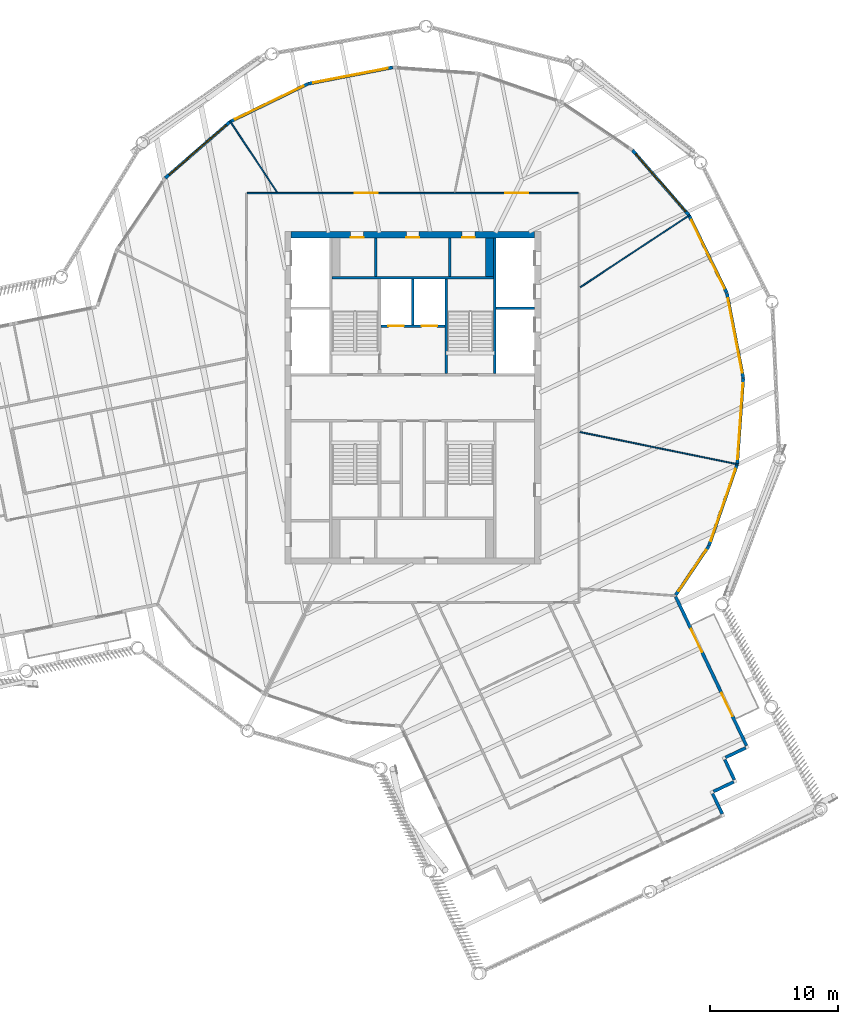
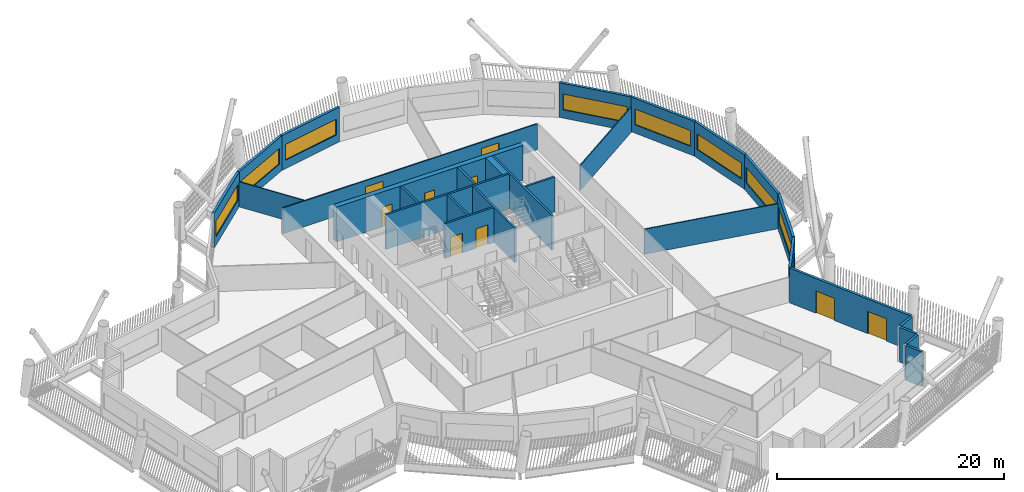
# One storey, part 6 of 21: 28 walls, 9 doors, 9 windows, 18 openings.
"""IFC4 building model written with IfcOpenShell, lengths in metres."""

from ifc_helpers import new_model, si_unit, direction, frame, frame_2d, origin, place, context, subcontext, project, spatial, rectangle, extrude, material, layer, layer_set, type_object, element, fill, save


model = new_model("IFC4")

# Units and contexts
model_context = context("Model", 3, precision=1e-05, world=origin(), true_north=direction((0.0, 1.0)))
body_context = subcontext(model_context, "Body", "Model", "MODEL_VIEW")
ifc_project = project(units=[si_unit("LENGTHUNIT", "METRE"), si_unit("AREAUNIT", "SQUARE_METRE"), si_unit("VOLUMEUNIT", "CUBIC_METRE"), si_unit("PLANEANGLEUNIT", "RADIAN"), si_unit("MASSUNIT", "GRAM", prefix="KILO")], contexts=[model_context])

# Site, building, storey
site_placement = place(None, origin())
site = spatial("IfcSite", under=ifc_project, at=site_placement, CompositionType="ELEMENT")
building_placement = place(site_placement, origin())
building = spatial("IfcBuilding", under=site, at=building_placement, Name="Tarsis Ring Headquarters", CompositionType="ELEMENT")
storey_placement = place(building_placement, frame((0.0, 0.0, 331.39990234375)))
storey = spatial("IfcBuildingStorey", under=building, at=storey_placement, Name="L78", CompositionType="ELEMENT", Elevation=331.39990234375)

# Walls
ifc_material_1 = material(Name="Blockwork", Category="masonry")
ifc_layer_1 = layer(ifc_material_1, 0.199951171875)
ifc_layer_set_1 = layer_set([ifc_layer_1], Name="Core blockwork wall 200")
wall_type_1 = type_object("IfcWallType", Name="Core blockwork wall 200", PredefinedType="PARTITIONING", material=ifc_layer_set_1)
for number, where, z_axis, x_axis, name in (
    (1, (-2.89990234375, 9.5, 0.0), (0.0, 0.0, 1.0), (0.0, 1.0, 0.0), "Core partition ND1"),
    (2, (2.89990234375, 9.5, 0.0), (0.0, 0.0, 1.0), (0.0, 1.0, 0.0), "Core partition ND3"),
):
    element("IfcWall", number, at=place(storey_placement, frame(where, z_axis=z_axis, x_axis=x_axis)), inside=storey, type_object=wall_type_1, Name=name, PredefinedType="PARTITIONING", context=body_context, shape_type="SweptSolid", body=[
        extrude(rectangle(XDim=3.0, YDim=0.199951171875, at=frame_2d((1.5, 0.0))), origin(), (0.0, 0.0, 1.0), 3.739990234375),
    ])

# Wall, openings, doors
ifc_material_2 = material(Name="Concrete C50/60", Category="concrete")
ifc_layer_2 = layer(ifc_material_2, 0.5)
ifc_layer_set_2 = layer_set([ifc_layer_2], Name="Core wall 500 C50/60")
wall_type_2 = type_object("IfcWallType", Name="Core wall 500 C50/60", PredefinedType="SHEAR", material=ifc_layer_set_2)
wall_1_placement = place(storey_placement, frame((-9.5, 12.75, 0.0), z_axis=(0.0, 0.0, 1.0), x_axis=(1.0, 0.0, 0.0)))
wall_1 = element("IfcWall", 3, at=wall_1_placement, inside=storey, type_object=wall_type_2, Name="Core wall ON", PredefinedType="SHEAR", context=body_context, shape_type="SweptSolid", body=[
    extrude(rectangle(XDim=19.0, YDim=0.5, at=frame_2d((9.5, 0.0))), origin(), (0.0, 0.0, 1.0), 3.739990234375),
])
opening_1_placement = place(wall_1_placement, frame((4.64990234375, 0.0, 0.0)))
opening_1 = element("IfcOpeningElement", 4, at=opening_1_placement, cuts=wall_1, Name="Opening L78-C14", PredefinedType="OPENING", context=body_context, shape_type="SweptSolid", body=[
    extrude(rectangle(XDim=1.0, YDim=2.10009765625, at=frame_2d((0.5, 1.050048828125))), frame((0.0, 0.260009765625, 0.0), z_axis=(0.0, -1.0, 0.0), x_axis=(1.0, 0.0, 0.0)), (0.0, 0.0, 1.0), 0.52001953125),
])
opening_2_placement = place(wall_1_placement, frame((9.0, 0.0, 0.0)))
opening_2 = element("IfcOpeningElement", 5, at=opening_2_placement, cuts=wall_1, Name="Opening L78-C15", PredefinedType="OPENING", context=body_context, shape_type="SweptSolid", body=[
    extrude(rectangle(XDim=1.0, YDim=2.10009765625, at=frame_2d((0.5, 1.050048828125))), frame((0.0, 0.260009765625, 0.0), z_axis=(0.0, -1.0, 0.0), x_axis=(1.0, 0.0, 0.0)), (0.0, 0.0, 1.0), 0.52001953125),
])
opening_3_placement = place(wall_1_placement, frame((13.35009765625, 0.0, 0.0)))
opening_3 = element("IfcOpeningElement", 6, at=opening_3_placement, cuts=wall_1, Name="Opening L78-C16", PredefinedType="OPENING", context=body_context, shape_type="SweptSolid", body=[
    extrude(rectangle(XDim=1.0, YDim=2.10009765625, at=frame_2d((0.5, 1.050048828125))), frame((0.0, 0.260009765625, 0.0), z_axis=(0.0, -1.0, 0.0), x_axis=(1.0, 0.0, 0.0)), (0.0, 0.0, 1.0), 0.52001953125),
])
ifc_material_3 = material(Name="Steel S355", Category="steel")
door_type_1 = type_object("IfcDoorType", Name="Core room door 1000x2100", OperationType="SINGLE_SWING_LEFT", PredefinedType="DOOR", material=ifc_material_3)
door_1_placement = place(opening_1_placement, origin())
door_1 = element("IfcDoor", 7, at=door_1_placement, inside=storey, type_object=door_type_1, Name="Core room door L78", OperationType="SINGLE_SWING_LEFT", OverallHeight=2.10009765625, OverallWidth=1.0, PredefinedType="DOOR", context=body_context, shape_type="SweptSolid", body=[
    extrude(rectangle(XDim=1.0, YDim=2.10009765625, at=frame_2d((0.5, 1.050048828125))), frame((0.0, -0.2001953125, 0.0), z_axis=(0.0, -1.0, 0.0), x_axis=(1.0, 0.0, 0.0)), (0.0, 0.0, 1.0), 0.050048828125),
])
fill(opening_1, door_1)
door_2_placement = place(opening_2_placement, origin())
door_2 = element("IfcDoor", 8, at=door_2_placement, inside=storey, type_object=door_type_1, Name="Core room door L78", OperationType="SINGLE_SWING_LEFT", OverallHeight=2.10009765625, OverallWidth=1.0, PredefinedType="DOOR", context=body_context, shape_type="SweptSolid", body=[
    extrude(rectangle(XDim=1.0, YDim=2.10009765625, at=frame_2d((0.5, 1.050048828125))), frame((0.0, -0.2001953125, 0.0), z_axis=(0.0, -1.0, 0.0), x_axis=(1.0, 0.0, 0.0)), (0.0, 0.0, 1.0), 0.050048828125),
])
fill(opening_2, door_2)
door_3_placement = place(opening_3_placement, origin())
door_3 = element("IfcDoor", 9, at=door_3_placement, inside=storey, type_object=door_type_1, Name="Core room door L78", OperationType="SINGLE_SWING_LEFT", OverallHeight=2.10009765625, OverallWidth=1.0, PredefinedType="DOOR", context=body_context, shape_type="SweptSolid", body=[
    extrude(rectangle(XDim=1.0, YDim=2.10009765625, at=frame_2d((0.5, 1.050048828125))), frame((0.0, -0.2001953125, 0.0), z_axis=(0.0, -1.0, 0.0), x_axis=(1.0, 0.0, 0.0)), (0.0, 0.0, 1.0), 0.050048828125),
])
fill(opening_3, door_3)

# Walls
ifc_material_4 = material(Name="Gypsum board on steel studs", Category="steel")
ifc_layer_3 = layer(ifc_material_4, 0.10009765625)
ifc_layer_set_3 = layer_set([ifc_layer_3], Name="FL partition 100 unrated")
wall_type_3 = type_object("IfcWallType", Name="FL partition 100 unrated", PredefinedType="PARTITIONING", material=ifc_layer_set_3)
wall_2_placement = place(storey_placement, frame((13.068603515625, -2.673095703125, 0.0), z_axis=(0.0, 0.0, 1.0), x_axis=(0.979716401051, -0.200389055368, 0.0)))
element("IfcWall", 10, at=wall_2_placement, inside=storey, type_object=wall_type_3, Name="Partition PW3", PredefinedType="PARTITIONING", context=body_context, shape_type="SweptSolid", body=[
    extrude(rectangle(XDim=12.608642578125, YDim=0.10009765625, at=frame_2d((6.30419921875, 0.0))), origin(), (0.0, 0.0, 1.0), 2.7001953125),
])
wall_3_placement = place(storey_placement, frame((13.08349609375, 8.64013671875, 0.0), z_axis=(0.0, 0.0, 1.0), x_axis=(0.834471004251, 0.551051851521, 0.0)))
element("IfcWall", 11, at=wall_3_placement, inside=storey, type_object=wall_type_3, Name="Partition PW3", PredefinedType="PARTITIONING", context=body_context, shape_type="SweptSolid", body=[
    extrude(rectangle(XDim=10.268798828125, YDim=0.10009765625, at=frame_2d((5.13427734375, 0.0))), origin(), (0.0, 0.0, 1.0), 2.7001953125),
])
wall_4_placement = place(storey_placement, frame((-14.298828125, 21.652587890625, 0.0), z_axis=(0.0, 0.0, 1.0), x_axis=(0.551064899082, -0.834462388008, 0.0)))
element("IfcWall", 12, at=wall_4_placement, inside=storey, type_object=wall_type_3, Name="Partition PW3", PredefinedType="PARTITIONING", context=body_context, shape_type="SweptSolid", body=[
    extrude(rectangle(XDim=6.673828125, YDim=0.10009765625, at=frame_2d((3.3369140625, 0.0))), origin(), (0.0, 0.0, 1.0), 2.7001953125),
])

# Wall, openings, doors
ifc_layer_4 = layer(ifc_material_4, 0.125)
ifc_layer_set_4 = layer_set([ifc_layer_4], Name="FL partition 125 EI 60 H2770")
wall_type_4 = type_object("IfcWallType", Name="FL partition 125 EI 60 H2770", PredefinedType="PARTITIONING", material=ifc_layer_set_4)
wall_5_placement = place(storey_placement, frame((-12.93994140625, 16.0, 0.0), z_axis=(0.0, 0.0, 1.0), x_axis=(1.0, 0.0, 0.0)))
wall_5 = element("IfcWall", 13, at=wall_5_placement, inside=storey, type_object=wall_type_4, Name="Partition PW1", PredefinedType="PARTITIONING", context=body_context, shape_type="SweptSolid", body=[
    extrude(rectangle(XDim=25.8798828125, YDim=0.125, at=frame_2d((12.93994140625, 0.0))), origin(), (0.0, 0.0, 1.0), 2.77001953125),
])
opening_4_placement = place(wall_5_placement, frame((8.393310546875, 0.0, 0.0)))
opening_4 = element("IfcOpeningElement", 14, at=opening_4_placement, cuts=wall_5, Name="Opening D78.05", PredefinedType="OPENING", context=body_context, shape_type="SweptSolid", body=[
    extrude(rectangle(XDim=1.800048828125, YDim=2.10009765625, at=frame_2d((0.89990234375, 1.050048828125))), frame((0.0, 0.072509765625, 0.0), z_axis=(0.0, -1.0, 0.0), x_axis=(1.0, 0.0, 0.0)), (0.0, 0.0, 1.0), 0.14501953125),
])
opening_5_placement = place(wall_5_placement, frame((20.17626953125, 0.0, 0.0)))
opening_5 = element("IfcOpeningElement", 15, at=opening_5_placement, cuts=wall_5, Name="Opening D78.06", PredefinedType="OPENING", context=body_context, shape_type="SweptSolid", body=[
    extrude(rectangle(XDim=1.800048828125, YDim=2.10009765625, at=frame_2d((0.89990234375, 1.050048828125))), frame((0.0, 0.072509765625, 0.0), z_axis=(0.0, -1.0, 0.0), x_axis=(1.0, 0.0, 0.0)), (0.0, 0.0, 1.0), 0.14501953125),
])
ifc_material_5 = material(Name="Fire-rated timber door leaf in steel frame", Category="steel")
door_type_2 = type_object("IfcDoorType", Name="FL door FD60-1800", OperationType="DOUBLE_DOOR_SINGLE_SWING", PredefinedType="DOOR", material=ifc_material_5)
door_4_placement = place(opening_4_placement, origin())
door_4 = element("IfcDoor", 16, at=door_4_placement, inside=storey, type_object=door_type_2, Name="Door D78.05", OperationType="DOUBLE_DOOR_SINGLE_SWING", OverallHeight=2.10009765625, OverallWidth=1.800048828125, PredefinedType="DOOR", context=body_context, shape_type="SweptSolid", body=[
    extrude(rectangle(XDim=1.800048828125, YDim=2.10009765625, at=frame_2d((0.89990234375, 1.050048828125))), frame((0.0, 0.02490234375, 0.0), z_axis=(0.0, -1.0, 0.0), x_axis=(1.0, 0.0, 0.0)), (0.0, 0.0, 1.0), 0.050048828125),
])
fill(opening_4, door_4)
door_5_placement = place(opening_5_placement, origin())
door_5 = element("IfcDoor", 17, at=door_5_placement, inside=storey, type_object=door_type_2, Name="Door D78.06", OperationType="DOUBLE_DOOR_SINGLE_SWING", OverallHeight=2.10009765625, OverallWidth=1.800048828125, PredefinedType="DOOR", context=body_context, shape_type="SweptSolid", body=[
    extrude(rectangle(XDim=1.800048828125, YDim=2.10009765625, at=frame_2d((0.89990234375, 1.050048828125))), frame((0.0, 0.02490234375, 0.0), z_axis=(0.0, -1.0, 0.0), x_axis=(1.0, 0.0, 0.0)), (0.0, 0.0, 1.0), 0.050048828125),
])
fill(opening_5, door_5)

# Walls
ifc_material_6 = material(Name="Terracotta clad insulated panel wall", Category="masonry")
ifc_layer_5 = layer(ifc_material_6, 0.25)
ifc_layer_set_5 = layer_set([ifc_layer_5], Name="Facade wall terracotta panel 250")
wall_type_5 = type_object("IfcWallType", Name="Facade wall terracotta panel 250", PredefinedType="STANDARD", material=ifc_layer_set_5)
for number, where, z_axis, x_axis, name in (
    (18, (24.1865234375, -32.512939453125, 0.0), (0.0, 0.0, 1.0), (-0.429549052818, 0.90304352676, 0.0), "External wall L78-12"),
    (19, (23.494140625, -30.765869140625, 0.0), (0.0, 0.0, 1.0), (0.90304352676, 0.429549052818, 0.0), "External wall L78-13"),
    (20, (25.133544921875, -29.84765625, 0.0), (0.0, 0.0, 1.0), (-0.429549052818, 0.90304352676, 0.0), "External wall L78-14"),
    (21, (24.44091796875, -28.100830078125, 0.0), (0.0, 0.0, 1.0), (0.90304352676, 0.429549052818, 0.0), "External wall L78-15"),
):
    element("IfcWall", number, at=place(storey_placement, frame(where, z_axis=z_axis, x_axis=x_axis)), inside=storey, type_object=wall_type_5, Name=name, PredefinedType="STANDARD", context=body_context, shape_type="SweptSolid", body=[
        extrude(rectangle(XDim=1.75, YDim=0.25, at=frame_2d((0.875, 0.0))), origin(), (0.0, 0.0, 1.0), 3.739990234375),
    ])

# Wall, openings, doors
wall_6_placement = place(storey_placement, frame((26.08056640625, -27.182373046875, 0.0), z_axis=(0.0, 0.0, 1.0), x_axis=(-0.42956626561, 0.903035338982, 0.0)))
wall_6 = element("IfcWall", 22, at=wall_6_placement, inside=storey, type_object=wall_type_5, Name="External wall L78-16", PredefinedType="STANDARD", context=body_context, shape_type="SweptSolid", body=[
    extrude(rectangle(XDim=12.9013671875, YDim=0.25, at=frame_2d((6.45068359375, 0.0))), origin(), (0.0, 0.0, 1.0), 3.739990234375),
])
opening_6_placement = place(wall_6_placement, frame((2.550048828125, 0.0, 0.0)))
opening_6 = element("IfcOpeningElement", 23, at=opening_6_placement, cuts=wall_6, Name="Opening L78-BD03", PredefinedType="OPENING", context=body_context, shape_type="SweptSolid", body=[
    extrude(rectangle(XDim=2.0, YDim=2.39990234375, at=frame_2d((1.0, 1.199951171875))), frame((0.0, 0.135009765625, 0.0), z_axis=(0.0, -1.0, 0.0), x_axis=(1.0, 0.0, 0.0)), (0.0, 0.0, 1.0), 0.27001953125),
])
opening_7_placement = place(wall_6_placement, frame((8.101318359375, 0.0, 0.0)))
opening_7 = element("IfcOpeningElement", 24, at=opening_7_placement, cuts=wall_6, Name="Opening L78-BD04", PredefinedType="OPENING", context=body_context, shape_type="SweptSolid", body=[
    extrude(rectangle(XDim=2.0, YDim=2.39990234375, at=frame_2d((1.0, 1.199951171875))), frame((0.0, 0.135009765625, 0.0), z_axis=(0.0, -1.0, 0.0), x_axis=(1.0, 0.0, 0.0)), (0.0, 0.0, 1.0), 0.27001953125),
])
ifc_material_7 = material(Name="Aluminium framed double glazing", Category="aluminium")
door_type_3 = type_object("IfcDoorType", Name="Balcony sliding door 2000 x 2400", OperationType="SLIDING_TO_LEFT", PredefinedType="DOOR", material=ifc_material_7)
door_6_placement = place(opening_6_placement, origin())
door_6 = element("IfcDoor", 25, at=door_6_placement, inside=storey, type_object=door_type_3, Name="Door L78-BD03", OperationType="SINGLE_SWING_LEFT", OverallHeight=2.39990234375, OverallWidth=2.0, PredefinedType="DOOR", context=body_context, shape_type="SweptSolid", body=[
    extrude(rectangle(XDim=2.0, YDim=2.39990234375, at=frame_2d((1.0, 1.199951171875))), frame((0.0, 0.02490234375, 0.0), z_axis=(0.0, -1.0, 0.0), x_axis=(1.0, 0.0, 0.0)), (0.0, 0.0, 1.0), 0.050048828125),
])
fill(opening_6, door_6)
door_7_placement = place(opening_7_placement, origin())
door_7 = element("IfcDoor", 26, at=door_7_placement, inside=storey, type_object=door_type_3, Name="Door L78-BD04", OperationType="SINGLE_SWING_LEFT", OverallHeight=2.39990234375, OverallWidth=2.0, PredefinedType="DOOR", context=body_context, shape_type="SweptSolid", body=[
    extrude(rectangle(XDim=2.0, YDim=2.39990234375, at=frame_2d((1.0, 1.199951171875))), frame((0.0, 0.02490234375, 0.0), z_axis=(0.0, -1.0, 0.0), x_axis=(1.0, 0.0, 0.0)), (0.0, 0.0, 1.0), 0.050048828125),
])
fill(opening_7, door_7)

# Wall, opening, window
wall_7_placement = place(storey_placement, frame((20.5478515625, -15.408447265625, 0.0), z_axis=(0.0, 0.0, 1.0), x_axis=(0.560044772855, 0.828462342173, 0.0)))
wall_7 = element("IfcWall", 27, at=wall_7_placement, inside=storey, type_object=wall_type_5, Name="External wall L78-17", PredefinedType="STANDARD", context=body_context, shape_type="SweptSolid", body=[
    extrude(rectangle(XDim=4.617919921875, YDim=0.25, at=frame_2d((2.30908203125, 0.0))), origin(), (0.0, 0.0, 1.0), 3.739990234375),
])
opening_8_placement = place(wall_7_placement, frame((0.400390625, 0.0, 0.89990234375)))
opening_8 = element("IfcOpeningElement", 28, at=opening_8_placement, cuts=wall_7, Name="Opening WN02", PredefinedType="OPENING", context=body_context, shape_type="SweptSolid", body=[
    extrude(rectangle(XDim=3.85009765625, YDim=1.699951171875, at=frame_2d((1.925048828125, 0.85009765625))), frame((0.0, 0.135009765625, 0.0), z_axis=(0.0, -1.0, 0.0), x_axis=(1.0, 0.0, 0.0)), (0.0, 0.0, 1.0), 0.27001953125),
])
window_type_1 = type_object("IfcWindowType", Name="Facade window 3850 x 1700", PartitioningType="SINGLE_PANEL", PredefinedType="WINDOW", material=ifc_material_7)
window_1_placement = place(opening_8_placement, origin())
window_1 = element("IfcWindow", 29, at=window_1_placement, inside=storey, type_object=window_type_1, Name="Window L78-17.1", OverallHeight=1.699951171875, OverallWidth=3.85009765625, PartitioningType="SINGLE_PANEL", PredefinedType="WINDOW", context=body_context, shape_type="SweptSolid", body=[
    extrude(rectangle(XDim=3.85009765625, YDim=1.699951171875, at=frame_2d((1.925048828125, 0.85009765625))), frame((0.0, 0.030029296875, 0.0), z_axis=(0.0, -1.0, 0.0), x_axis=(1.0, 0.0, 0.0)), (0.0, 0.0, 1.0), 0.06005859375),
])
fill(opening_8, window_1)

wall_8_placement = place(storey_placement, frame((23.148681640625, -11.553466796875, 0.0), z_axis=(0.0, 0.0, 1.0), x_axis=(0.326571581621, 0.945172472133, 0.0)))
wall_8 = element("IfcWall", 30, at=wall_8_placement, inside=storey, type_object=wall_type_5, Name="External wall L78-18", PredefinedType="STANDARD", context=body_context, shape_type="SweptSolid", body=[
    extrude(rectangle(XDim=6.721435546875, YDim=0.25, at=frame_2d((3.36083984375, 0.0))), origin(), (0.0, 0.0, 1.0), 3.739990234375),
])
opening_9_placement = place(wall_8_placement, frame((0.3857421875, 0.0, 0.89990234375)))
opening_9 = element("IfcOpeningElement", 31, at=opening_9_placement, cuts=wall_8, Name="Opening WN07", PredefinedType="OPENING", context=body_context, shape_type="SweptSolid", body=[
    extrude(rectangle(XDim=5.949951171875, YDim=1.699951171875, at=frame_2d((2.97509765625, 0.85009765625))), frame((0.0, 0.135009765625, 0.0), z_axis=(0.0, -1.0, 0.0), x_axis=(1.0, 0.0, 0.0)), (0.0, 0.0, 1.0), 0.27001953125),
])
window_type_2 = type_object("IfcWindowType", Name="Facade window 5950 x 1700", PartitioningType="SINGLE_PANEL", PredefinedType="WINDOW", material=ifc_material_7)
window_2_placement = place(opening_9_placement, origin())
window_2 = element("IfcWindow", 32, at=window_2_placement, inside=storey, type_object=window_type_2, Name="Window L78-18.1", OverallHeight=1.699951171875, OverallWidth=5.949951171875, PartitioningType="SINGLE_PANEL", PredefinedType="WINDOW", context=body_context, shape_type="SweptSolid", body=[
    extrude(rectangle(XDim=5.949951171875, YDim=1.699951171875, at=frame_2d((2.97509765625, 0.85009765625))), frame((0.0, 0.030029296875, 0.0), z_axis=(0.0, -1.0, 0.0), x_axis=(1.0, 0.0, 0.0)), (0.0, 0.0, 1.0), 0.06005859375),
])
fill(opening_9, window_2)

wall_9_placement = place(storey_placement, frame((25.350341796875, -5.16845703125, 0.0), z_axis=(0.0, 0.0, 1.0), x_axis=(0.070792733618, 0.997491047011, 0.0)))
wall_9 = element("IfcWall", 33, at=wall_9_placement, inside=storey, type_object=wall_type_5, Name="External wall L78-19", PredefinedType="STANDARD", context=body_context, shape_type="SweptSolid", body=[
    extrude(rectangle(XDim=6.721435546875, YDim=0.25, at=frame_2d((3.36083984375, 0.0))), origin(), (0.0, 0.0, 1.0), 3.739990234375),
])
opening_10_placement = place(wall_9_placement, frame((0.3857421875, 0.0, 0.89990234375)))
opening_10 = element("IfcOpeningElement", 34, at=opening_10_placement, cuts=wall_9, Name="Opening WN07", PredefinedType="OPENING", context=body_context, shape_type="SweptSolid", body=[
    extrude(rectangle(XDim=5.949951171875, YDim=1.699951171875, at=frame_2d((2.97509765625, 0.85009765625))), frame((0.0, 0.135009765625, 0.0), z_axis=(0.0, -1.0, 0.0), x_axis=(1.0, 0.0, 0.0)), (0.0, 0.0, 1.0), 0.27001953125),
])
window_3_placement = place(opening_10_placement, origin())
window_3 = element("IfcWindow", 35, at=window_3_placement, inside=storey, type_object=window_type_2, Name="Window L78-19.1", OverallHeight=1.699951171875, OverallWidth=5.949951171875, PartitioningType="SINGLE_PANEL", PredefinedType="WINDOW", context=body_context, shape_type="SweptSolid", body=[
    extrude(rectangle(XDim=5.949951171875, YDim=1.699951171875, at=frame_2d((2.97509765625, 0.85009765625))), frame((0.0, 0.030029296875, 0.0), z_axis=(0.0, -1.0, 0.0), x_axis=(1.0, 0.0, 0.0)), (0.0, 0.0, 1.0), 0.06005859375),
])
fill(opening_10, window_3)

wall_10_placement = place(storey_placement, frame((25.82421875, 1.568603515625, 0.0), z_axis=(0.0, 0.0, 1.0), x_axis=(-0.189783602428, 0.981825943968, 0.0)))
wall_10 = element("IfcWall", 36, at=wall_10_placement, inside=storey, type_object=wall_type_5, Name="External wall L78-20", PredefinedType="STANDARD", context=body_context, shape_type="SweptSolid", body=[
    extrude(rectangle(XDim=6.721435546875, YDim=0.25, at=frame_2d((3.36083984375, 0.0))), origin(), (0.0, 0.0, 1.0), 3.739990234375),
])
opening_11_placement = place(wall_10_placement, frame((0.3857421875, 0.0, 0.89990234375)))
opening_11 = element("IfcOpeningElement", 37, at=opening_11_placement, cuts=wall_10, Name="Opening WN07", PredefinedType="OPENING", context=body_context, shape_type="SweptSolid", body=[
    extrude(rectangle(XDim=5.949951171875, YDim=1.699951171875, at=frame_2d((2.97509765625, 0.85009765625))), frame((0.0, 0.135009765625, 0.0), z_axis=(0.0, -1.0, 0.0), x_axis=(1.0, 0.0, 0.0)), (0.0, 0.0, 1.0), 0.27001953125),
])
window_4_placement = place(opening_11_placement, origin())
window_4 = element("IfcWindow", 38, at=window_4_placement, inside=storey, type_object=window_type_2, Name="Window L78-20.1", OverallHeight=1.699951171875, OverallWidth=5.949951171875, PartitioningType="SINGLE_PANEL", PredefinedType="WINDOW", context=body_context, shape_type="SweptSolid", body=[
    extrude(rectangle(XDim=5.949951171875, YDim=1.699951171875, at=frame_2d((2.97509765625, 0.85009765625))), frame((0.0, 0.030029296875, 0.0), z_axis=(0.0, -1.0, 0.0), x_axis=(1.0, 0.0, 0.0)), (0.0, 0.0, 1.0), 0.06005859375),
])
fill(opening_11, window_4)

wall_11_placement = place(storey_placement, frame((24.538330078125, 8.198974609375, 0.0), z_axis=(0.0, 0.0, 1.0), x_axis=(-0.43742364685, 0.899255554988, 0.0)))
wall_11 = element("IfcWall", 39, at=wall_11_placement, inside=storey, type_object=wall_type_5, Name="External wall L78-21", PredefinedType="STANDARD", context=body_context, shape_type="SweptSolid", body=[
    extrude(rectangle(XDim=6.7216796875, YDim=0.25, at=frame_2d((3.36083984375, 0.0))), origin(), (0.0, 0.0, 1.0), 3.739990234375),
])
opening_12_placement = place(wall_11_placement, frame((0.3857421875, 0.0, 0.89990234375)))
opening_12 = element("IfcOpeningElement", 40, at=opening_12_placement, cuts=wall_11, Name="Opening WN07", PredefinedType="OPENING", context=body_context, shape_type="SweptSolid", body=[
    extrude(rectangle(XDim=5.949951171875, YDim=1.699951171875, at=frame_2d((2.97509765625, 0.85009765625))), frame((0.0, 0.135009765625, 0.0), z_axis=(0.0, -1.0, 0.0), x_axis=(1.0, 0.0, 0.0)), (0.0, 0.0, 1.0), 0.27001953125),
])
window_5_placement = place(opening_12_placement, origin())
window_5 = element("IfcWindow", 41, at=window_5_placement, inside=storey, type_object=window_type_2, Name="Window L78-21.1", OverallHeight=1.699951171875, OverallWidth=5.949951171875, PartitioningType="SINGLE_PANEL", PredefinedType="WINDOW", context=body_context, shape_type="SweptSolid", body=[
    extrude(rectangle(XDim=5.949951171875, YDim=1.699951171875, at=frame_2d((2.97509765625, 0.85009765625))), frame((0.0, 0.030029296875, 0.0), z_axis=(0.0, -1.0, 0.0), x_axis=(1.0, 0.0, 0.0)), (0.0, 0.0, 1.0), 0.06005859375),
])
fill(opening_12, window_5)

wall_12_placement = place(storey_placement, frame((21.580078125, 14.2705078125, 0.0), z_axis=(0.0, 0.0, 1.0), x_axis=(-0.655263722772, 0.755400194347, 0.0)))
wall_12 = element("IfcWall", 42, at=wall_12_placement, inside=storey, type_object=wall_type_5, Name="External wall L78-22", PredefinedType="STANDARD", context=body_context, shape_type="SweptSolid", body=[
    extrude(rectangle(XDim=6.7216796875, YDim=0.25, at=frame_2d((3.36083984375, 0.0))), origin(), (0.0, 0.0, 1.0), 3.739990234375),
])
opening_13_placement = place(wall_12_placement, frame((0.3857421875, 0.0, 0.89990234375)))
opening_13 = element("IfcOpeningElement", 43, at=opening_13_placement, cuts=wall_12, Name="Opening WN07", PredefinedType="OPENING", context=body_context, shape_type="SweptSolid", body=[
    extrude(rectangle(XDim=5.949951171875, YDim=1.699951171875, at=frame_2d((2.97509765625, 0.85009765625))), frame((0.0, 0.135009765625, 0.0), z_axis=(0.0, -1.0, 0.0), x_axis=(1.0, 0.0, 0.0)), (0.0, 0.0, 1.0), 0.27001953125),
])
window_6_placement = place(opening_13_placement, origin())
window_6 = element("IfcWindow", 44, at=window_6_placement, inside=storey, type_object=window_type_2, Name="Window L78-22.1", OverallHeight=1.699951171875, OverallWidth=5.949951171875, PartitioningType="SINGLE_PANEL", PredefinedType="WINDOW", context=body_context, shape_type="SweptSolid", body=[
    extrude(rectangle(XDim=5.949951171875, YDim=1.699951171875, at=frame_2d((2.97509765625, 0.85009765625))), frame((0.0, 0.030029296875, 0.0), z_axis=(0.0, -1.0, 0.0), x_axis=(1.0, 0.0, 0.0)), (0.0, 0.0, 1.0), 0.06005859375),
])
fill(opening_13, window_6)

wall_13_placement = place(storey_placement, frame((-1.568603515625, 25.82421875, 0.0), z_axis=(0.0, 0.0, 1.0), x_axis=(-0.981825943968, -0.189783602428, 0.0)))
wall_13 = element("IfcWall", 45, at=wall_13_placement, inside=storey, type_object=wall_type_5, Name="External wall L78-26", PredefinedType="STANDARD", context=body_context, shape_type="SweptSolid", body=[
    extrude(rectangle(XDim=6.721435546875, YDim=0.25, at=frame_2d((3.36083984375, 0.0))), origin(), (0.0, 0.0, 1.0), 3.739990234375),
])
opening_14_placement = place(wall_13_placement, frame((0.3857421875, 0.0, 0.89990234375)))
opening_14 = element("IfcOpeningElement", 46, at=opening_14_placement, cuts=wall_13, Name="Opening WN07", PredefinedType="OPENING", context=body_context, shape_type="SweptSolid", body=[
    extrude(rectangle(XDim=5.949951171875, YDim=1.699951171875, at=frame_2d((2.97509765625, 0.85009765625))), frame((0.0, 0.135009765625, 0.0), z_axis=(0.0, -1.0, 0.0), x_axis=(1.0, 0.0, 0.0)), (0.0, 0.0, 1.0), 0.27001953125),
])
window_7_placement = place(opening_14_placement, origin())
window_7 = element("IfcWindow", 47, at=window_7_placement, inside=storey, type_object=window_type_2, Name="Window L78-26.1", OverallHeight=1.699951171875, OverallWidth=5.949951171875, PartitioningType="SINGLE_PANEL", PredefinedType="WINDOW", context=body_context, shape_type="SweptSolid", body=[
    extrude(rectangle(XDim=5.949951171875, YDim=1.699951171875, at=frame_2d((2.97509765625, 0.85009765625))), frame((0.0, 0.030029296875, 0.0), z_axis=(0.0, -1.0, 0.0), x_axis=(1.0, 0.0, 0.0)), (0.0, 0.0, 1.0), 0.06005859375),
])
fill(opening_14, window_7)

wall_14_placement = place(storey_placement, frame((-8.198974609375, 24.538330078125, 0.0), z_axis=(0.0, 0.0, 1.0), x_axis=(-0.899255554988, -0.43742364685, 0.0)))
wall_14 = element("IfcWall", 48, at=wall_14_placement, inside=storey, type_object=wall_type_5, Name="External wall L78-27", PredefinedType="STANDARD", context=body_context, shape_type="SweptSolid", body=[
    extrude(rectangle(XDim=6.7216796875, YDim=0.25, at=frame_2d((3.36083984375, 0.0))), origin(), (0.0, 0.0, 1.0), 3.739990234375),
])
opening_15_placement = place(wall_14_placement, frame((0.3857421875, 0.0, 0.89990234375)))
opening_15 = element("IfcOpeningElement", 49, at=opening_15_placement, cuts=wall_14, Name="Opening WN07", PredefinedType="OPENING", context=body_context, shape_type="SweptSolid", body=[
    extrude(rectangle(XDim=5.949951171875, YDim=1.699951171875, at=frame_2d((2.97509765625, 0.85009765625))), frame((0.0, 0.135009765625, 0.0), z_axis=(0.0, -1.0, 0.0), x_axis=(1.0, 0.0, 0.0)), (0.0, 0.0, 1.0), 0.27001953125),
])
window_8_placement = place(opening_15_placement, origin())
window_8 = element("IfcWindow", 50, at=window_8_placement, inside=storey, type_object=window_type_2, Name="Window L78-27.1", OverallHeight=1.699951171875, OverallWidth=5.949951171875, PartitioningType="SINGLE_PANEL", PredefinedType="WINDOW", context=body_context, shape_type="SweptSolid", body=[
    extrude(rectangle(XDim=5.949951171875, YDim=1.699951171875, at=frame_2d((2.97509765625, 0.85009765625))), frame((0.0, 0.030029296875, 0.0), z_axis=(0.0, -1.0, 0.0), x_axis=(1.0, 0.0, 0.0)), (0.0, 0.0, 1.0), 0.06005859375),
])
fill(opening_15, window_8)

wall_15_placement = place(storey_placement, frame((-14.2705078125, 21.580078125, 0.0), z_axis=(0.0, 0.0, 1.0), x_axis=(-0.755400194347, -0.655263722772, 0.0)))
wall_15 = element("IfcWall", 51, at=wall_15_placement, inside=storey, type_object=wall_type_5, Name="External wall L78-28", PredefinedType="STANDARD", context=body_context, shape_type="SweptSolid", body=[
    extrude(rectangle(XDim=6.7216796875, YDim=0.25, at=frame_2d((3.36083984375, 0.0))), origin(), (0.0, 0.0, 1.0), 3.739990234375),
])
opening_16_placement = place(wall_15_placement, frame((0.3857421875, 0.0, 0.89990234375)))
opening_16 = element("IfcOpeningElement", 52, at=opening_16_placement, cuts=wall_15, Name="Opening WN07", PredefinedType="OPENING", context=body_context, shape_type="SweptSolid", body=[
    extrude(rectangle(XDim=5.949951171875, YDim=1.699951171875, at=frame_2d((2.97509765625, 0.85009765625))), frame((0.0, 0.135009765625, 0.0), z_axis=(0.0, -1.0, 0.0), x_axis=(1.0, 0.0, 0.0)), (0.0, 0.0, 1.0), 0.27001953125),
])
window_9_placement = place(opening_16_placement, origin())
window_9 = element("IfcWindow", 53, at=window_9_placement, inside=storey, type_object=window_type_2, Name="Window L78-28.1", OverallHeight=1.699951171875, OverallWidth=5.949951171875, PartitioningType="SINGLE_PANEL", PredefinedType="WINDOW", context=body_context, shape_type="SweptSolid", body=[
    extrude(rectangle(XDim=5.949951171875, YDim=1.699951171875, at=frame_2d((2.97509765625, 0.85009765625))), frame((0.0, 0.030029296875, 0.0), z_axis=(0.0, -1.0, 0.0), x_axis=(1.0, 0.0, 0.0)), (0.0, 0.0, 1.0), 0.06005859375),
])
fill(opening_16, window_9)

# Walls
ifc_material_8 = material(Name="Concrete C32/40", Category="concrete")
ifc_layer_6 = layer(ifc_material_8, 0.60009765625)
ifc_layer_set_6 = layer_set([ifc_layer_6], Name="Shaft end wall 600 C32/40")
wall_type_6 = type_object("IfcWallType", Name="Shaft end wall 600 C32/40", PredefinedType="SOLIDWALL", material=ifc_layer_set_6)
wall_16_placement = place(storey_placement, frame((6.0, 9.5, 0.0), z_axis=(0.0, 0.0, 1.0), x_axis=(0.0, 1.0, 0.0)))
element("IfcWall", 54, at=wall_16_placement, inside=storey, type_object=wall_type_6, Name="Core shaft wall NNE2", PredefinedType="SOLIDWALL", context=body_context, shape_type="SweptSolid", body=[
    extrude(rectangle(XDim=3.0, YDim=0.60009765625, at=frame_2d((1.5, 0.0))), origin(), (0.0, 0.0, 1.0), 3.739990234375),
])
ifc_layer_7 = layer(ifc_material_8, 0.199951171875)
ifc_layer_set_7 = layer_set([ifc_layer_7], Name="Shaft wall 200 C32/40")
wall_type_7 = type_object("IfcWallType", Name="Shaft wall 200 C32/40", PredefinedType="SOLIDWALL", material=ifc_layer_set_7)
wall_17_placement = place(storey_placement, frame((6.39990234375, 1.89990234375, 0.0), z_axis=(0.0, 0.0, 1.0), x_axis=(0.0, 1.0, 0.0)))
element("IfcWall", 55, at=wall_17_placement, inside=storey, type_object=wall_type_7, Name="Core shaft wall EB2", PredefinedType="SOLIDWALL", context=body_context, shape_type="SweptSolid", body=[
    extrude(rectangle(XDim=10.60009765625, YDim=0.199951171875, at=frame_2d((5.300048828125, 0.0))), origin(), (0.0, 0.0, 1.0), 3.739990234375),
])
wall_18_placement = place(storey_placement, frame((-6.300048828125, 9.39990234375, 0.0), z_axis=(0.0, 0.0, 1.0), x_axis=(1.0, 0.0, 0.0)))
element("IfcWall", 56, at=wall_18_placement, inside=storey, type_object=wall_type_7, Name="Core shaft wall NB", PredefinedType="SOLIDWALL", context=body_context, shape_type="SweptSolid", body=[
    extrude(rectangle(XDim=12.60009765625, YDim=0.199951171875, at=frame_2d((6.300048828125, 0.0))), origin(), (0.0, 0.0, 1.0), 3.739990234375),
])
wall_19_placement = place(storey_placement, frame((2.60009765625, 1.89990234375, 0.0), z_axis=(0.0, 0.0, 1.0), x_axis=(0.0, 1.0, 0.0)))
element("IfcWall", 57, at=wall_19_placement, inside=storey, type_object=wall_type_7, Name="Core shaft wall SW2", PredefinedType="SOLIDWALL", context=body_context, shape_type="SweptSolid", body=[
    extrude(rectangle(XDim=7.400146484375, YDim=0.199951171875, at=frame_2d((3.7001953125, 0.0))), origin(), (0.0, 0.0, 1.0), 3.739990234375),
])

# Wall, openings, doors
wall_20_placement = place(storey_placement, frame((-2.5, 5.60009765625, 0.0), z_axis=(0.0, 0.0, 1.0), x_axis=(1.0, 0.0, 0.0)))
wall_20 = element("IfcWall", 58, at=wall_20_placement, inside=storey, type_object=wall_type_7, Name="Core shaft wall FFN", PredefinedType="SOLIDWALL", context=body_context, shape_type="SweptSolid", body=[
    extrude(rectangle(XDim=5.0, YDim=0.199951171875, at=frame_2d((2.5, 0.0))), origin(), (0.0, 0.0, 1.0), 3.739990234375),
])
opening_17_placement = place(wall_20_placement, frame((0.60009765625, 0.0, 0.0)))
opening_17 = element("IfcOpeningElement", 59, at=opening_17_placement, cuts=wall_20, Name="Opening LDF-1", PredefinedType="OPENING", context=body_context, shape_type="SweptSolid", body=[
    extrude(rectangle(XDim=1.199951171875, YDim=2.10009765625, at=frame_2d((0.60009765625, 1.050048828125))), frame((0.0, 0.10986328125, 0.0), z_axis=(0.0, -1.0, 0.0), x_axis=(1.0, 0.0, 0.0)), (0.0, 0.0, 1.0), 0.219970703125),
])
opening_18_placement = place(wall_20_placement, frame((3.199951171875, 0.0, 0.0)))
opening_18 = element("IfcOpeningElement", 60, at=opening_18_placement, cuts=wall_20, Name="Opening LDF-2", PredefinedType="OPENING", context=body_context, shape_type="SweptSolid", body=[
    extrude(rectangle(XDim=1.199951171875, YDim=2.10009765625, at=frame_2d((0.60009765625, 1.050048828125))), frame((0.0, 0.10986328125, 0.0), z_axis=(0.0, -1.0, 0.0), x_axis=(1.0, 0.0, 0.0)), (0.0, 0.0, 1.0), 0.219970703125),
])
door_type_4 = type_object("IfcDoorType", Name="Firefighting landing door 1200x2100", OperationType="SLIDING_TO_LEFT", PredefinedType="DOOR", material=ifc_material_3)
door_8_placement = place(opening_17_placement, origin())
door_8 = element("IfcDoor", 61, at=door_8_placement, inside=storey, type_object=door_type_4, Name="Landing door FF1 L78", OperationType="SLIDING_TO_LEFT", OverallHeight=2.10009765625, OverallWidth=1.199951171875, PredefinedType="DOOR", context=body_context, shape_type="SweptSolid", body=[
    extrude(rectangle(XDim=1.199951171875, YDim=2.10009765625, at=frame_2d((0.60009765625, 1.050048828125))), frame((0.0, 0.02490234375, 0.0), z_axis=(0.0, -1.0, 0.0), x_axis=(1.0, 0.0, 0.0)), (0.0, 0.0, 1.0), 0.050048828125),
])
fill(opening_17, door_8)
door_9_placement = place(opening_18_placement, origin())
door_9 = element("IfcDoor", 62, at=door_9_placement, inside=storey, type_object=door_type_4, Name="Landing door FF2 L78", OperationType="SLIDING_TO_LEFT", OverallHeight=2.10009765625, OverallWidth=1.199951171875, PredefinedType="DOOR", context=body_context, shape_type="SweptSolid", body=[
    extrude(rectangle(XDim=1.199951171875, YDim=2.10009765625, at=frame_2d((0.60009765625, 1.050048828125))), frame((0.0, 0.02490234375, 0.0), z_axis=(0.0, -1.0, 0.0), x_axis=(1.0, 0.0, 0.0)), (0.0, 0.0, 1.0), 0.050048828125),
])
fill(opening_18, door_9)

# Walls
wall_21_placement = place(storey_placement, frame((0.0, 5.699951171875, 0.0), z_axis=(0.0, 0.0, 1.0), x_axis=(0.0, 1.0, 0.0)))
element("IfcWall", 63, at=wall_21_placement, inside=storey, type_object=wall_type_7, Name="Core shaft wall FFD", PredefinedType="SOLIDWALL", context=body_context, shape_type="SweptSolid", body=[
    extrude(rectangle(XDim=3.60009765625, YDim=0.199951171875, at=frame_2d((1.800048828125, 0.0))), origin(), (0.0, 0.0, 1.0), 3.739990234375),
])
wall_22_placement = place(storey_placement, frame((6.5, 7.0, 0.0), z_axis=(0.0, 0.0, 1.0), x_axis=(1.0, 0.0, 0.0)))
element("IfcWall", 64, at=wall_22_placement, inside=storey, type_object=wall_type_7, Name="Core shaft wall ED6", PredefinedType="SOLIDWALL", context=body_context, shape_type="SweptSolid", body=[
    extrude(rectangle(XDim=3.0, YDim=0.199951171875, at=frame_2d((1.5, 0.0))), origin(), (0.0, 0.0, 1.0), 3.739990234375),
])

save(model, "model.ifc")
